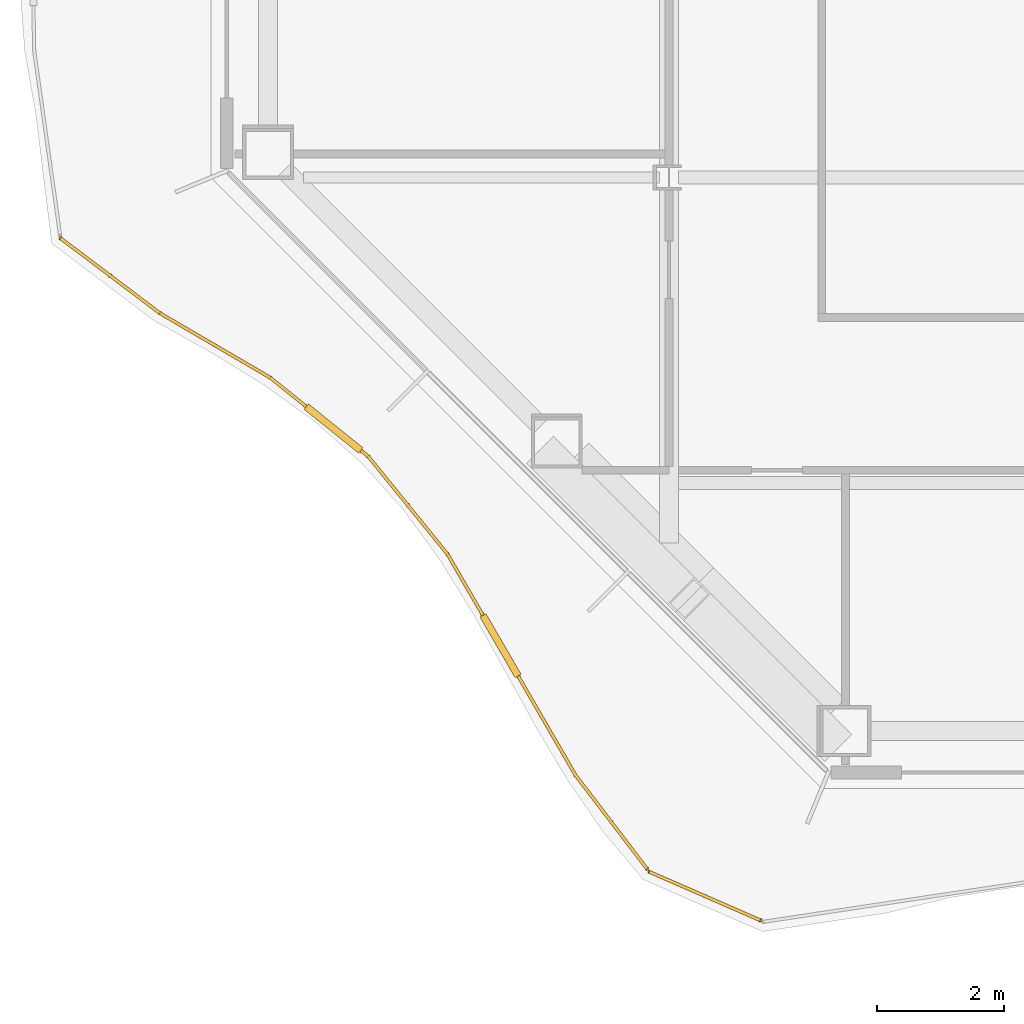
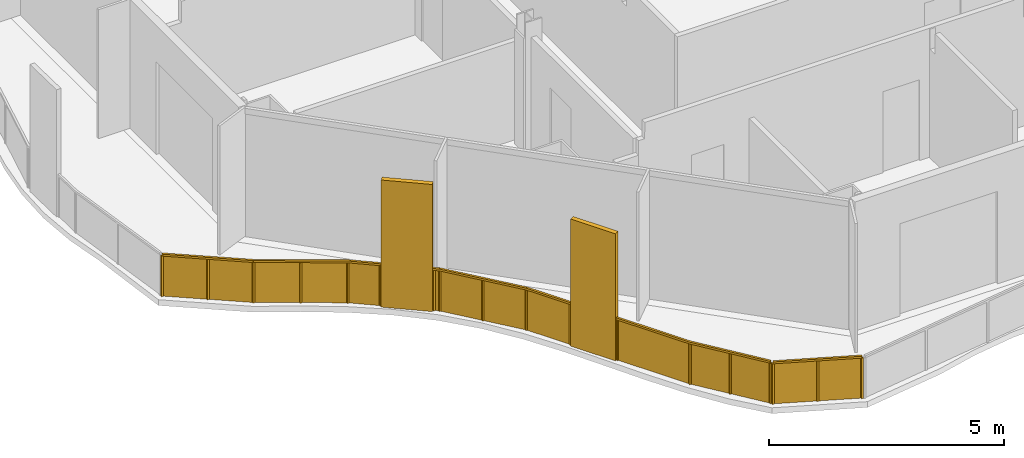
# One storey, part 15 of 23: 2 railings.
"""IFC4 building model written with IfcOpenShell, lengths in metres."""

import ifcopenshell
import ifcopenshell.guid

model = None  # the IFC model being written
_history = None  # IfcOwnerHistory: only IFC2X3 demands one
_inside = {}  # id of a spatial element -> (the spatial element, [elements in it])
_under = {}  # id of a project, library or spatial element -> (it, [spatial elements below it])
_declared = {}  # id of a project -> (the project, [libraries it declares])
_typed = {}  # id of a type object -> (the type object, [elements of that type])
_made_of = {}  # id of a material, layer set ... -> (it, [elements and type objects made of it])


def new_model(schema):
    """Start an empty IFC model of exactly this schema.

    Asked for "IFC4X3", IfcOpenShell would pick the latest addendum, in which some entities
    have other attributes; the version numbers below select the first issue.
    IFC2X3 requires an IfcOwnerHistory on every rooted entity: one is made here for all.
    """
    global model, _history
    if schema == "IFC4X3":
        model = ifcopenshell.file(schema_version=(4, 3, 0, 0))
    else:
        model = ifcopenshell.file(schema=schema)
    _inside.clear()
    _under.clear()
    _declared.clear()
    _typed.clear()
    _made_of.clear()
    _history = None
    if model.schema == "IFC2X3":
        org = make("IfcOrganization", Name="unknown")
        user = make(
            "IfcPersonAndOrganization",
            ThePerson=make("IfcPerson", FamilyName="unknown"),
            TheOrganization=org,
        )
        app = make(
            "IfcApplication",
            ApplicationDeveloper=org,
            Version="unknown",
            ApplicationFullName="unknown",
            ApplicationIdentifier="unknown",
        )
        _history = make(
            "IfcOwnerHistory",
            OwningUser=user,
            OwningApplication=app,
            ChangeAction="ADDED",
            CreationDate=0,
        )
    return model


def make(cls, **values):
    """One entity of the class cls with the attributes given. An attribute that is None is left unset."""
    return model.create_entity(
        cls, **{name: value for name, value in values.items() if value is not None}
    )


def rooted(cls, **values):
    """An entity with a GlobalId (a new one), such as an element, a storey or a relation."""
    return make(cls, GlobalId=ifcopenshell.guid.new(), OwnerHistory=_history, **values)


def si_unit(unit_type, name, prefix=None):
    """IfcSIUnit, for example si_unit("LENGTHUNIT", "METRE", prefix="MILLI")."""
    return make("IfcSIUnit", UnitType=unit_type, Prefix=prefix, Name=name)


def assignment(units):
    """IfcUnitAssignment: the units of a project."""
    return None if units is None else make("IfcUnitAssignment", Units=units)


def point(xyz):
    """IfcCartesianPoint."""
    return None if xyz is None else make("IfcCartesianPoint", Coordinates=xyz)


def direction(xyz):
    """IfcDirection."""
    return None if xyz is None else make("IfcDirection", DirectionRatios=xyz)


def frame(location, z_axis=None, x_axis=None):
    """IfcAxis2Placement3D, a coordinate frame: its origin and axes. An axis left out is left unset."""
    return make(
        "IfcAxis2Placement3D",
        Location=point(location),
        Axis=direction(z_axis),
        RefDirection=direction(x_axis),
    )


def frame_2d(location, x_axis=None):
    """IfcAxis2Placement2D, a coordinate frame in the plane: its origin and x axis."""
    return make(
        "IfcAxis2Placement2D", Location=point(location), RefDirection=direction(x_axis)
    )


def origin():
    """The frame at (0, 0, 0) with its axes left unset."""
    return frame((0.0, 0.0, 0.0))


def origin_2d():
    """The frame at (0, 0) in the plane with its x axis left unset."""
    return frame_2d((0.0, 0.0))


def place(relative_to, where):
    """IfcLocalPlacement: puts the frame where relative to a parent placement (None: the world)."""
    return make(
        "IfcLocalPlacement", PlacementRelTo=relative_to, RelativePlacement=where
    )


def context(
    kind, dimensions, precision=None, world=None, true_north=None, identifier=None
):
    """IfcGeometricRepresentationContext, for example the 3D "Model" context."""
    return make(
        "IfcGeometricRepresentationContext",
        ContextIdentifier=identifier,
        ContextType=kind,
        CoordinateSpaceDimension=dimensions,
        Precision=precision,
        WorldCoordinateSystem=world,
        TrueNorth=true_north,
    )


def subcontext(parent, identifier, kind, view, scale=None):
    """IfcGeometricRepresentationSubContext, for example "Body" below "Model"."""
    return make(
        "IfcGeometricRepresentationSubContext",
        ContextIdentifier=identifier,
        ContextType=kind,
        ParentContext=parent,
        TargetScale=scale,
        TargetView=view,
    )


def project(units=None, contexts=None):
    """IfcProject with its units and contexts."""
    return rooted(
        "IfcProject",
        Name="project",
        RepresentationContexts=contexts,
        UnitsInContext=assignment(units),
    )


def spatial(cls, under=None, at=None, **own):
    """A site, building, storey or space (cls), placed at a placement, below another one or the project."""
    s = rooted(cls, ObjectPlacement=at, **own)
    if under is not None:
        _under.setdefault(under.id(), (under, []))[1].append(s)
    return s


def polyline(points):
    """IfcPolyline through the points."""
    return make("IfcPolyline", Points=[point(p) for p in points])


def profile(cls, at=None, kind="AREA", **sizes):
    """A parametric profile (cls). Its sizes go by their IFC names, for example OverallWidth=200.0."""
    return make(cls, ProfileType=kind, Position=at, **sizes)


def rectangle(**sizes):
    """IfcRectangleProfileDef."""
    return profile("IfcRectangleProfileDef", **sizes)


def outline(outer, holes=None, kind="AREA"):
    """IfcArbitraryClosedProfileDef: a profile drawn as a closed curve; with holes, ...WithVoids."""
    if holes is None:
        return make("IfcArbitraryClosedProfileDef", ProfileType=kind, OuterCurve=outer)
    return make(
        "IfcArbitraryProfileDefWithVoids",
        ProfileType=kind,
        OuterCurve=outer,
        InnerCurves=holes,
    )


def extrude(swept, where, along, depth):
    """IfcExtrudedAreaSolid: the profile swept, set in the frame where, extruded along a direction by depth."""
    return make(
        "IfcExtrudedAreaSolid",
        SweptArea=swept,
        Position=where,
        ExtrudedDirection=direction(along),
        Depth=depth,
    )


def shape(context_of_items, identifier, shape_type, items):
    """IfcShapeRepresentation: the items that make up one representation, for example the "Body"."""
    return make(
        "IfcShapeRepresentation",
        ContextOfItems=context_of_items,
        RepresentationIdentifier=identifier,
        RepresentationType=shape_type,
        Items=items,
    )


def material(Name=None, Category=None):
    """IfcMaterial."""
    return make("IfcMaterial", Name=Name, Category=Category)


def made_of(thing, what):
    """Note that an element or type object is made of a material, layer set ...; save() writes the relation."""
    if what is not None:
        _made_of.setdefault(what.id(), (what, []))[1].append(thing)
    return thing


def type_object(cls, material=None, **own):
    """A type object (cls), such as IfcWallType, which elements share."""
    return made_of(rooted(cls, **own), material)


def element(
    cls,
    number,
    at=None,
    inside=None,
    cuts=None,
    type_object=None,
    material=None,
    context=None,
    identifier="Body",
    shape_type=None,
    held_by="IfcProductDefinitionShape",
    body=None,
    shapes=None,
    **own,
):
    """One element of the class cls, such as IfcWall. Its Tag is "e" and its number.

    at: its placement. inside: the storey or other place that contains it. cuts: it is an
    opening in that element (IfcRelVoidsElement). A single representation is given by context,
    identifier, shape_type and body (its items); several are given by shapes. held_by: the class
    of the entity that holds the representations. save() writes the other relations.
    """
    e = rooted(cls, Tag="e%d" % number, ObjectPlacement=at, **own)
    if body is not None:
        shapes = [shape(context, identifier, shape_type, body)]
    if shapes is not None:
        e.Representation = make(held_by, Representations=shapes)
    if inside is not None:
        _inside.setdefault(inside.id(), (inside, []))[1].append(e)
    if cuts is not None:
        rooted(
            "IfcRelVoidsElement", RelatingBuildingElement=cuts, RelatedOpeningElement=e
        )
    if type_object is not None:
        _typed.setdefault(type_object.id(), (type_object, []))[1].append(e)
    return made_of(e, material)


def aggregate(whole, parts):
    """IfcRelAggregates: a whole, such as a stair, and the parts it consists of."""
    return rooted("IfcRelAggregates", RelatingObject=whole, RelatedObjects=parts)


def save(model, path):
    """Write the relations noted so far, then the file.

    IfcRelAggregates (storeys below a building ...), IfcRelContainedInSpatialStructure (elements
    in a storey), IfcRelDefinesByType, IfcRelAssociatesMaterial and IfcRelDeclares: one each for
    every whole, place, type object, material and project.
    """
    for whole, parts in _under.values():
        aggregate(whole, parts)
    for where, things in _inside.values():
        rooted(
            "IfcRelContainedInSpatialStructure",
            RelatedElements=things,
            RelatingStructure=where,
        )
    for kind, things in _typed.values():
        rooted("IfcRelDefinesByType", RelatedObjects=things, RelatingType=kind)
    for what, things in _made_of.values():
        rooted("IfcRelAssociatesMaterial", RelatedObjects=things, RelatingMaterial=what)
    for by, libraries in _declared.values():
        rooted("IfcRelDeclares", RelatingContext=by, RelatedDefinitions=libraries)
    model.write(path)


model = new_model("IFC4")

# Units and contexts
model_context = context("Model", 3, precision=1e-05, world=origin(), true_north=direction((0.0, 1.0)))
body_context = subcontext(model_context, "Body", "Model", "MODEL_VIEW")
ifc_project = project(units=[si_unit("LENGTHUNIT", "METRE"), si_unit("AREAUNIT", "SQUARE_METRE"), si_unit("VOLUMEUNIT", "CUBIC_METRE"), si_unit("PLANEANGLEUNIT", "RADIAN"), si_unit("MASSUNIT", "GRAM", prefix="KILO")], contexts=[model_context])

# Site, building, storey
site_placement = place(None, origin())
site = spatial("IfcSite", under=ifc_project, at=site_placement, CompositionType="ELEMENT")
building_placement = place(site_placement, origin())
building = spatial("IfcBuilding", under=site, at=building_placement, Name="Cairn Pilgrim Tower", CompositionType="ELEMENT")
storey_placement = place(building_placement, frame((0.0, 0.0, 115.800048828125)))
storey = spatial("IfcBuildingStorey", under=building, at=storey_placement, Name="L28", CompositionType="ELEMENT", Elevation=115.800048828125)

# Railings
ifc_material_1 = material(Name="Bronze anodised aluminium rail and posts with laminated glass infill", Category="aluminium")
railing_type_1 = type_object("IfcRailingType", Name="BALCONY GUARD 1100", PredefinedType="GUARDRAIL", material=ifc_material_1)
railing_1_placement = place(storey_placement, frame((-14.70849609375, -20.5107421875, 0.0)))
element("IfcRailing", 1, at=railing_1_placement, inside=storey, type_object=railing_type_1, Name="Balcony guard BG-9", PredefinedType="GUARDRAIL", context=body_context, shape_type="SweptSolid", body=[
    extrude(rectangle(XDim=0.050048828125, YDim=0.050048828125, at=origin_2d()), frame((0.0, 0.0, 1.0751953125), z_axis=(0.916466596998, -0.400111205276, 0.0), x_axis=(0.400111205276, 0.916466596998, 0.0)), (0.0, 0.0, 1.0), 1.900634765625),
    extrude(rectangle(XDim=0.050048828125, YDim=0.050048828125, at=origin_2d()), origin(), (0.0, 0.0, 1.0), 1.050048828125),
    extrude(rectangle(XDim=0.050048828125, YDim=0.050048828125, at=origin_2d()), frame((0.87109375, -0.38037109375, 0.0)), (0.0, 0.0, 1.0), 1.050048828125),
    extrude(rectangle(XDim=0.050048828125, YDim=0.050048828125, at=origin_2d()), frame((1.741943359375, -0.760498046875, 0.0)), (0.0, 0.0, 1.0), 1.050048828125),
    extrude(outline(polyline([(0.02490234375, 0.0), (0.92529296875, 0.0), (0.92529296875, 1.050048828125), (0.02490234375, 1.050048828125), (0.02490234375, 0.0)])), frame((0.00244140625, 0.00537109375, 0.0), z_axis=(-0.400111205276, -0.916466596998, 0.0), x_axis=(0.916466596998, -0.400111205276, 0.0)), (0.0, 0.0, 1.0), 0.011962890625),
    extrude(outline(polyline([(0.02490234375, 0.0), (0.92529296875, 0.0), (0.92529296875, 1.050048828125), (0.02490234375, 1.050048828125), (0.02490234375, 0.0)])), frame((0.873291015625, -0.374755859375, 0.0), z_axis=(-0.400111205276, -0.916466596998, 0.0), x_axis=(0.916466596998, -0.400111205276, 0.0)), (0.0, 0.0, 1.0), 0.011962890625),
])
ifc_material_2 = material(Name="Bronze anodised aluminium rail, posts and fin screens with laminated glass infill", Category="aluminium")
railing_type_2 = type_object("IfcRailingType", Name="BALCONY GUARD WITH FIN SCREENS", PredefinedType="GUARDRAIL", material=ifc_material_2)
railing_2_placement = place(storey_placement, frame((-23.96142578125, -10.5537109375, 0.0)))
element("IfcRailing", 2, at=railing_2_placement, inside=storey, type_object=railing_type_2, Name="Balcony guard BGF-8 with fin screens", PredefinedType="GUARDRAIL", context=body_context, shape_type="SweptSolid", body=[
    extrude(rectangle(XDim=0.050048828125, YDim=0.050048828125, at=origin_2d()), frame((0.0, 0.0, 1.0751953125), z_axis=(0.798227680983, -0.602355849405, 0.0), x_axis=(0.602355849405, 0.798227680983, 0.0)), (0.0, 0.0, 1.0), 1.954345703125),
    extrude(rectangle(XDim=0.050048828125, YDim=0.050048828125, at=origin_2d()), frame((1.56005859375, -1.17724609375, 1.0751953125), z_axis=(0.863443489761, -0.504445576835, 0.0), x_axis=(0.504445576835, 0.863443489761, 0.0)), (0.0, 0.0, 1.0), 2.007568359375),
    extrude(rectangle(XDim=1.10009765625, YDim=0.110107421875, at=origin_2d()), frame((4.2900390625, -2.990478515625, 0.0), z_axis=(0.0, 0.0, 1.0), x_axis=(0.779639128682, -0.626229054762, 0.0)), (0.0, 0.0, 1.0), 3.300048828125),
    extrude(rectangle(XDim=0.050048828125, YDim=0.050048828125, at=origin_2d()), frame((3.29345703125, -2.18994140625, 1.0751953125), z_axis=(0.779639128682, -0.626229054762, 0.0), x_axis=(0.626229054762, 0.779639128682, 0.0)), (0.0, 0.0, 1.0), 0.728271484375),
    extrude(rectangle(XDim=0.050048828125, YDim=0.050048828125, at=origin_2d()), frame((4.71875, -3.334716796875, 1.0751953125), z_axis=(0.779639128682, -0.626229054762, 0.0), x_axis=(0.626229054762, 0.779639128682, 0.0)), (0.0, 0.0, 1.0), 0.14990234375),
    extrude(rectangle(XDim=0.050048828125, YDim=0.050048828125, at=origin_2d()), frame((4.835693359375, -3.4287109375, 1.0751953125), z_axis=(0.629769752491, -0.77678186053, 0.0), x_axis=(0.77678186053, 0.629769752491, 0.0)), (0.0, 0.0, 1.0), 1.977783203125),
    extrude(rectangle(XDim=1.10009765625, YDim=0.110107421875, at=origin_2d()), frame((6.914306640625, -6.4033203125, 0.0), z_axis=(0.0, 0.0, 1.0), x_axis=(0.501223150103, -0.865318065107, 0.0)), (0.0, 0.0, 1.0), 3.300048828125),
    extrude(rectangle(XDim=0.050048828125, YDim=0.050048828125, at=origin_2d()), frame((6.081298828125, -4.965087890625, 1.0751953125), z_axis=(0.501223150103, -0.865318065107, 0.0), x_axis=(0.865318065107, 0.501223150103, 0.0)), (0.0, 0.0, 1.0), 1.112060546875),
    extrude(rectangle(XDim=0.050048828125, YDim=0.050048828125, at=origin_2d()), frame((7.18994140625, -6.879150390625, 1.0751953125), z_axis=(0.501223150103, -0.865318065107, 0.0), x_axis=(0.865318065107, 0.501223150103, 0.0)), (0.0, 0.0, 1.0), 1.804443359375),
    extrude(rectangle(XDim=0.050048828125, YDim=0.050048828125, at=origin_2d()), frame((8.094482421875, -8.440673828125, 1.0751953125), z_axis=(0.607077425084, -0.794642686969, 0.0), x_axis=(0.794642686969, 0.607077425084, 0.0)), (0.0, 0.0, 1.0), 1.848388671875),
    extrude(rectangle(XDim=0.050048828125, YDim=0.050048828125, at=origin_2d()), origin(), (0.0, 0.0, 1.0), 1.050048828125),
    extrude(rectangle(XDim=0.050048828125, YDim=0.050048828125, at=origin_2d()), frame((0.780029296875, -0.588623046875, 0.0)), (0.0, 0.0, 1.0), 1.050048828125),
    extrude(rectangle(XDim=0.050048828125, YDim=0.050048828125, at=origin_2d()), frame((1.56005859375, -1.17724609375, 0.0)), (0.0, 0.0, 1.0), 1.050048828125),
    extrude(rectangle(XDim=0.050048828125, YDim=0.050048828125, at=origin_2d()), frame((2.4267578125, -1.68359375, 0.0)), (0.0, 0.0, 1.0), 1.050048828125),
    extrude(rectangle(XDim=0.050048828125, YDim=0.050048828125, at=origin_2d()), frame((3.29345703125, -2.18994140625, 0.0)), (0.0, 0.0, 1.0), 1.050048828125),
    extrude(rectangle(XDim=0.050048828125, YDim=0.050048828125, at=origin_2d()), frame((3.841552734375, -2.63037109375, 0.0)), (0.0, 0.0, 1.0), 1.050048828125),
    extrude(rectangle(XDim=0.050048828125, YDim=0.050048828125, at=origin_2d()), frame((4.73828125, -3.350341796875, 0.0)), (0.0, 0.0, 1.0), 1.050048828125),
    extrude(rectangle(XDim=0.050048828125, YDim=0.050048828125, at=origin_2d()), frame((4.835693359375, -3.4287109375, 0.0)), (0.0, 0.0, 1.0), 1.050048828125),
    extrude(rectangle(XDim=0.050048828125, YDim=0.050048828125, at=origin_2d()), frame((5.45849609375, -4.19677734375, 0.0)), (0.0, 0.0, 1.0), 1.050048828125),
    extrude(rectangle(XDim=0.050048828125, YDim=0.050048828125, at=origin_2d()), frame((6.081298828125, -4.965087890625, 0.0)), (0.0, 0.0, 1.0), 1.050048828125),
    extrude(rectangle(XDim=0.050048828125, YDim=0.050048828125, at=origin_2d()), frame((6.626220703125, -5.90576171875, 0.0)), (0.0, 0.0, 1.0), 1.050048828125),
    extrude(rectangle(XDim=0.050048828125, YDim=0.050048828125, at=origin_2d()), frame((7.20263671875, -6.90087890625, 0.0)), (0.0, 0.0, 1.0), 1.050048828125),
    extrude(rectangle(XDim=0.050048828125, YDim=0.050048828125, at=origin_2d()), frame((8.094482421875, -8.440673828125, 0.0)), (0.0, 0.0, 1.0), 1.050048828125),
    extrude(rectangle(XDim=0.050048828125, YDim=0.050048828125, at=origin_2d()), frame((8.655517578125, -9.175048828125, 0.0)), (0.0, 0.0, 1.0), 1.050048828125),
    extrude(rectangle(XDim=0.050048828125, YDim=0.050048828125, at=origin_2d()), frame((9.216552734375, -9.909423828125, 0.0)), (0.0, 0.0, 1.0), 1.050048828125),
    extrude(outline(polyline([(0.02490234375, 0.0), (0.9521484375, 0.0), (0.9521484375, 1.050048828125), (0.02490234375, 1.050048828125), (0.02490234375, 0.0)])), frame((0.003662109375, 0.0048828125, 0.0), z_axis=(-0.602355849405, -0.798227680983, 0.0), x_axis=(0.798227680983, -0.602355849405, 0.0)), (0.0, 0.0, 1.0), 0.011962890625),
    extrude(outline(polyline([(0.02490234375, 0.0), (0.9521484375, 0.0), (0.9521484375, 1.050048828125), (0.02490234375, 1.050048828125), (0.02490234375, 0.0)])), frame((0.78369140625, -0.583740234375, 0.0), z_axis=(-0.602355849405, -0.798227680983, 0.0), x_axis=(0.798227680983, -0.602355849405, 0.0)), (0.0, 0.0, 1.0), 0.011962890625),
    extrude(outline(polyline([(0.02490234375, 0.0), (0.978759765625, 0.0), (0.978759765625, 1.050048828125), (0.02490234375, 1.050048828125), (0.02490234375, 0.0)])), frame((1.56298828125, -1.172119140625, 0.0), z_axis=(-0.504445576835, -0.863443489761, 0.0), x_axis=(0.863443489761, -0.504445576835, 0.0)), (0.0, 0.0, 1.0), 0.011962890625),
    extrude(outline(polyline([(0.02490234375, 0.0), (0.978759765625, 0.0), (0.978759765625, 1.050048828125), (0.02490234375, 1.050048828125), (0.02490234375, 0.0)])), frame((2.4296875, -1.678466796875, 0.0), z_axis=(-0.504445576835, -0.863443489761, 0.0), x_axis=(0.863443489761, -0.504445576835, 0.0)), (0.0, 0.0, 1.0), 0.011962890625),
    extrude(outline(polyline([(0.02490234375, 0.0), (0.67822265625, 0.0), (0.67822265625, 1.050048828125), (0.02490234375, 1.050048828125), (0.02490234375, 0.0)])), frame((3.297119140625, -2.185302734375, 0.0), z_axis=(-0.626229054762, -0.779639128682, 0.0), x_axis=(0.779639128682, -0.626229054762, 0.0)), (0.0, 0.0, 1.0), 0.011962890625),
    extrude(outline(polyline([(0.02490234375, 0.0), (0.099853515625, 0.0), (0.099853515625, 1.050048828125), (0.02490234375, 1.050048828125), (0.02490234375, 0.0)])), frame((4.741943359375, -3.345703125, 0.0), z_axis=(-0.626229054762, -0.779639128682, 0.0), x_axis=(0.779639128682, -0.626229054762, 0.0)), (0.0, 0.0, 1.0), 0.011962890625),
    extrude(outline(polyline([(0.02490234375, 0.0), (0.9638671875, 0.0), (0.9638671875, 1.050048828125), (0.02490234375, 1.050048828125), (0.02490234375, 0.0)])), frame((4.84033203125, -3.425048828125, 0.0), z_axis=(-0.77678186053, -0.629769752491, 0.0), x_axis=(0.629769752491, -0.77678186053, 0.0)), (0.0, 0.0, 1.0), 0.011962890625),
    extrude(outline(polyline([(0.02490234375, 0.0), (0.9638671875, 0.0), (0.9638671875, 1.050048828125), (0.02490234375, 1.050048828125), (0.02490234375, 0.0)])), frame((5.463134765625, -4.193115234375, 0.0), z_axis=(-0.77678186053, -0.629769752491, 0.0), x_axis=(0.629769752491, -0.77678186053, 0.0)), (0.0, 0.0, 1.0), 0.011962890625),
    extrude(outline(polyline([(0.02490234375, 0.0), (1.06201171875, 0.0), (1.06201171875, 1.050048828125), (0.02490234375, 1.050048828125), (0.02490234375, 0.0)])), frame((6.08642578125, -4.962158203125, 0.0), z_axis=(-0.865318065107, -0.501223150103, 0.0), x_axis=(0.501223150103, -0.865318065107, 0.0)), (0.0, 0.0, 1.0), 0.011962890625),
    extrude(outline(polyline([(0.02490234375, 0.0), (1.75439453125, 0.0), (1.75439453125, 1.050048828125), (0.02490234375, 1.050048828125), (0.02490234375, 0.0)])), frame((7.207763671875, -6.89794921875, 0.0), z_axis=(-0.865318065107, -0.501223150103, 0.0), x_axis=(0.501223150103, -0.865318065107, 0.0)), (0.0, 0.0, 1.0), 0.011962890625),
    extrude(outline(polyline([(0.02490234375, 0.0), (0.899169921875, 0.0), (0.899169921875, 1.050048828125), (0.02490234375, 1.050048828125), (0.02490234375, 0.0)])), frame((8.09912109375, -8.43701171875, 0.0), z_axis=(-0.794642686969, -0.607077425084, 0.0), x_axis=(0.607077425084, -0.794642686969, 0.0)), (0.0, 0.0, 1.0), 0.011962890625),
    extrude(outline(polyline([(0.02490234375, 0.0), (0.899169921875, 0.0), (0.899169921875, 1.050048828125), (0.02490234375, 1.050048828125), (0.02490234375, 0.0)])), frame((8.66015625, -9.17138671875, 0.0), z_axis=(-0.794642686969, -0.607077425084, 0.0), x_axis=(0.607077425084, -0.794642686969, 0.0)), (0.0, 0.0, 1.0), 0.011962890625),
])

save(model, "model.ifc")
